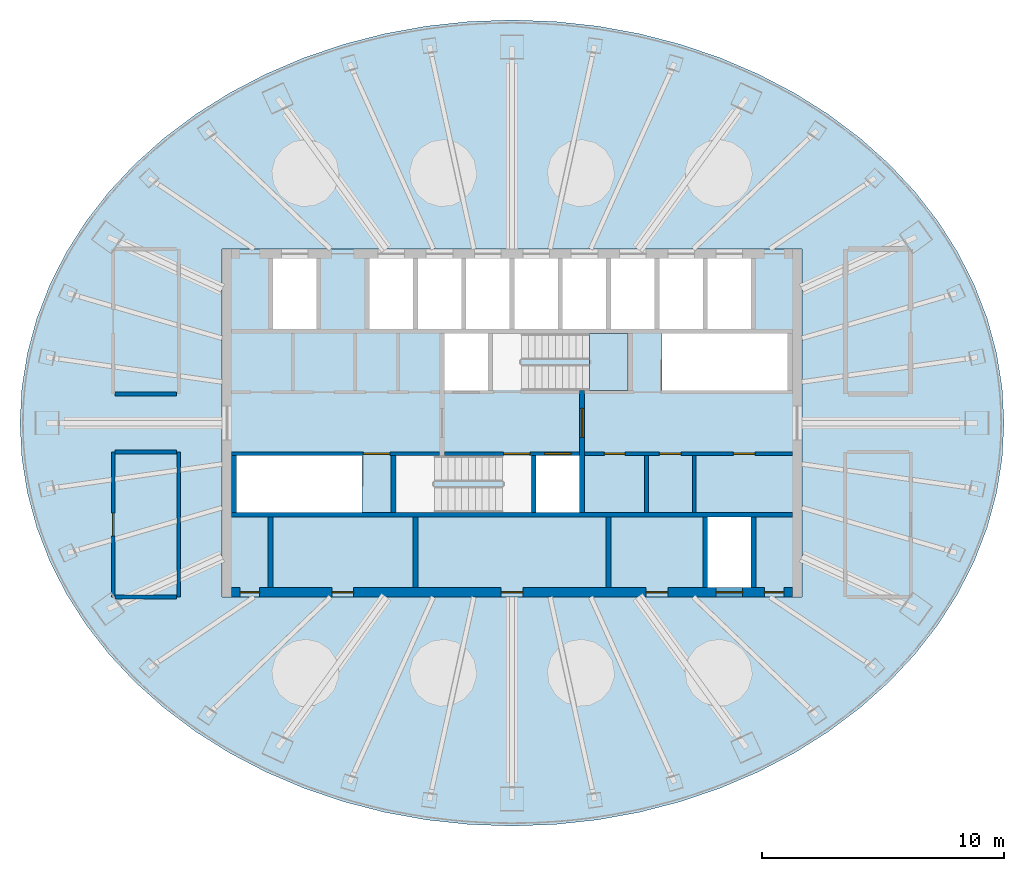
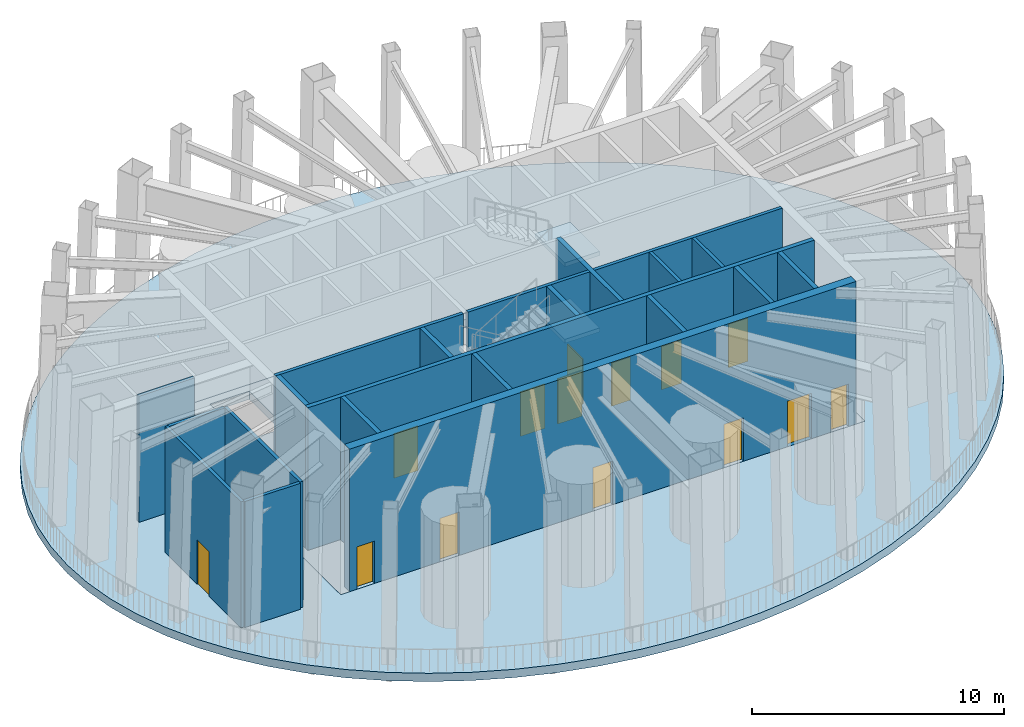
# One storey, part 3 of 12: 21 walls, 14 doors, 4 slabs, 14 openings, 1 element without a shape of its own.
"""IFC4 building model written with IfcOpenShell, lengths in metres."""

import ifcopenshell
import ifcopenshell.guid

model = None  # the IFC model being written
_history = None  # IfcOwnerHistory: only IFC2X3 demands one
_inside = {}  # id of a spatial element -> (the spatial element, [elements in it])
_under = {}  # id of a project, library or spatial element -> (it, [spatial elements below it])
_declared = {}  # id of a project -> (the project, [libraries it declares])
_typed = {}  # id of a type object -> (the type object, [elements of that type])
_made_of = {}  # id of a material, layer set ... -> (it, [elements and type objects made of it])


def new_model(schema):
    """Start an empty IFC model of exactly this schema.

    Asked for "IFC4X3", IfcOpenShell would pick the latest addendum, in which some entities
    have other attributes; the version numbers below select the first issue.
    IFC2X3 requires an IfcOwnerHistory on every rooted entity: one is made here for all.
    """
    global model, _history
    if schema == "IFC4X3":
        model = ifcopenshell.file(schema_version=(4, 3, 0, 0))
    else:
        model = ifcopenshell.file(schema=schema)
    _inside.clear()
    _under.clear()
    _declared.clear()
    _typed.clear()
    _made_of.clear()
    _history = None
    if model.schema == "IFC2X3":
        org = make("IfcOrganization", Name="unknown")
        user = make(
            "IfcPersonAndOrganization",
            ThePerson=make("IfcPerson", FamilyName="unknown"),
            TheOrganization=org,
        )
        app = make(
            "IfcApplication",
            ApplicationDeveloper=org,
            Version="unknown",
            ApplicationFullName="unknown",
            ApplicationIdentifier="unknown",
        )
        _history = make(
            "IfcOwnerHistory",
            OwningUser=user,
            OwningApplication=app,
            ChangeAction="ADDED",
            CreationDate=0,
        )
    return model


def make(cls, **values):
    """One entity of the class cls with the attributes given. An attribute that is None is left unset."""
    return model.create_entity(
        cls, **{name: value for name, value in values.items() if value is not None}
    )


def rooted(cls, **values):
    """An entity with a GlobalId (a new one), such as an element, a storey or a relation."""
    return make(cls, GlobalId=ifcopenshell.guid.new(), OwnerHistory=_history, **values)


def si_unit(unit_type, name, prefix=None):
    """IfcSIUnit, for example si_unit("LENGTHUNIT", "METRE", prefix="MILLI")."""
    return make("IfcSIUnit", UnitType=unit_type, Prefix=prefix, Name=name)


def assignment(units):
    """IfcUnitAssignment: the units of a project."""
    return None if units is None else make("IfcUnitAssignment", Units=units)


def point(xyz):
    """IfcCartesianPoint."""
    return None if xyz is None else make("IfcCartesianPoint", Coordinates=xyz)


def direction(xyz):
    """IfcDirection."""
    return None if xyz is None else make("IfcDirection", DirectionRatios=xyz)


def frame(location, z_axis=None, x_axis=None):
    """IfcAxis2Placement3D, a coordinate frame: its origin and axes. An axis left out is left unset."""
    return make(
        "IfcAxis2Placement3D",
        Location=point(location),
        Axis=direction(z_axis),
        RefDirection=direction(x_axis),
    )


def frame_2d(location, x_axis=None):
    """IfcAxis2Placement2D, a coordinate frame in the plane: its origin and x axis."""
    return make(
        "IfcAxis2Placement2D", Location=point(location), RefDirection=direction(x_axis)
    )


def origin():
    """The frame at (0, 0, 0) with its axes left unset."""
    return frame((0.0, 0.0, 0.0))


def place(relative_to, where):
    """IfcLocalPlacement: puts the frame where relative to a parent placement (None: the world)."""
    return make(
        "IfcLocalPlacement", PlacementRelTo=relative_to, RelativePlacement=where
    )


def context(
    kind, dimensions, precision=None, world=None, true_north=None, identifier=None
):
    """IfcGeometricRepresentationContext, for example the 3D "Model" context."""
    return make(
        "IfcGeometricRepresentationContext",
        ContextIdentifier=identifier,
        ContextType=kind,
        CoordinateSpaceDimension=dimensions,
        Precision=precision,
        WorldCoordinateSystem=world,
        TrueNorth=true_north,
    )


def subcontext(parent, identifier, kind, view, scale=None):
    """IfcGeometricRepresentationSubContext, for example "Body" below "Model"."""
    return make(
        "IfcGeometricRepresentationSubContext",
        ContextIdentifier=identifier,
        ContextType=kind,
        ParentContext=parent,
        TargetScale=scale,
        TargetView=view,
    )


def project(units=None, contexts=None):
    """IfcProject with its units and contexts."""
    return rooted(
        "IfcProject",
        Name="project",
        RepresentationContexts=contexts,
        UnitsInContext=assignment(units),
    )


def spatial(cls, under=None, at=None, **own):
    """A site, building, storey or space (cls), placed at a placement, below another one or the project."""
    s = rooted(cls, ObjectPlacement=at, **own)
    if under is not None:
        _under.setdefault(under.id(), (under, []))[1].append(s)
    return s


def polyline(points):
    """IfcPolyline through the points."""
    return make("IfcPolyline", Points=[point(p) for p in points])


def profile(cls, at=None, kind="AREA", **sizes):
    """A parametric profile (cls). Its sizes go by their IFC names, for example OverallWidth=200.0."""
    return make(cls, ProfileType=kind, Position=at, **sizes)


def rectangle(**sizes):
    """IfcRectangleProfileDef."""
    return profile("IfcRectangleProfileDef", **sizes)


def outline(outer, holes=None, kind="AREA"):
    """IfcArbitraryClosedProfileDef: a profile drawn as a closed curve; with holes, ...WithVoids."""
    if holes is None:
        return make("IfcArbitraryClosedProfileDef", ProfileType=kind, OuterCurve=outer)
    return make(
        "IfcArbitraryProfileDefWithVoids",
        ProfileType=kind,
        OuterCurve=outer,
        InnerCurves=holes,
    )


def extrude(swept, where, along, depth):
    """IfcExtrudedAreaSolid: the profile swept, set in the frame where, extruded along a direction by depth."""
    return make(
        "IfcExtrudedAreaSolid",
        SweptArea=swept,
        Position=where,
        ExtrudedDirection=direction(along),
        Depth=depth,
    )


def shape(context_of_items, identifier, shape_type, items):
    """IfcShapeRepresentation: the items that make up one representation, for example the "Body"."""
    return make(
        "IfcShapeRepresentation",
        ContextOfItems=context_of_items,
        RepresentationIdentifier=identifier,
        RepresentationType=shape_type,
        Items=items,
    )


def material(Name=None, Category=None):
    """IfcMaterial."""
    return make("IfcMaterial", Name=Name, Category=Category)


def layer(
    of_material, thickness, ventilated=None, Name=None, Category=None, Priority=None
):
    """IfcMaterialLayer: one layer of a wall or slab, of a material (None: an air gap)."""
    return make(
        "IfcMaterialLayer",
        Material=of_material,
        LayerThickness=thickness,
        IsVentilated=ventilated,
        Name=Name,
        Category=Category,
        Priority=Priority,
    )


def layer_set(layers, Name=None):
    """IfcMaterialLayerSet."""
    return make("IfcMaterialLayerSet", MaterialLayers=layers, LayerSetName=Name)


def made_of(thing, what):
    """Note that an element or type object is made of a material, layer set ...; save() writes the relation."""
    if what is not None:
        _made_of.setdefault(what.id(), (what, []))[1].append(thing)
    return thing


def type_object(cls, material=None, **own):
    """A type object (cls), such as IfcWallType, which elements share."""
    return made_of(rooted(cls, **own), material)


def element(
    cls,
    number,
    at=None,
    inside=None,
    cuts=None,
    type_object=None,
    material=None,
    context=None,
    identifier="Body",
    shape_type=None,
    held_by="IfcProductDefinitionShape",
    body=None,
    shapes=None,
    **own,
):
    """One element of the class cls, such as IfcWall. Its Tag is "e" and its number.

    at: its placement. inside: the storey or other place that contains it. cuts: it is an
    opening in that element (IfcRelVoidsElement). A single representation is given by context,
    identifier, shape_type and body (its items); several are given by shapes. held_by: the class
    of the entity that holds the representations. save() writes the other relations.
    """
    e = rooted(cls, Tag="e%d" % number, ObjectPlacement=at, **own)
    if body is not None:
        shapes = [shape(context, identifier, shape_type, body)]
    if shapes is not None:
        e.Representation = make(held_by, Representations=shapes)
    if inside is not None:
        _inside.setdefault(inside.id(), (inside, []))[1].append(e)
    if cuts is not None:
        rooted(
            "IfcRelVoidsElement", RelatingBuildingElement=cuts, RelatedOpeningElement=e
        )
    if type_object is not None:
        _typed.setdefault(type_object.id(), (type_object, []))[1].append(e)
    return made_of(e, material)


def fill(opening, filler):
    """IfcRelFillsElement: the door or window that sits in an opening."""
    return rooted(
        "IfcRelFillsElement",
        RelatingOpeningElement=opening,
        RelatedBuildingElement=filler,
    )


def aggregate(whole, parts):
    """IfcRelAggregates: a whole, such as a stair, and the parts it consists of."""
    return rooted("IfcRelAggregates", RelatingObject=whole, RelatedObjects=parts)


def save(model, path):
    """Write the relations noted so far, then the file.

    IfcRelAggregates (storeys below a building ...), IfcRelContainedInSpatialStructure (elements
    in a storey), IfcRelDefinesByType, IfcRelAssociatesMaterial and IfcRelDeclares: one each for
    every whole, place, type object, material and project.
    """
    for whole, parts in _under.values():
        aggregate(whole, parts)
    for where, things in _inside.values():
        rooted(
            "IfcRelContainedInSpatialStructure",
            RelatedElements=things,
            RelatingStructure=where,
        )
    for kind, things in _typed.values():
        rooted("IfcRelDefinesByType", RelatedObjects=things, RelatingType=kind)
    for what, things in _made_of.values():
        rooted("IfcRelAssociatesMaterial", RelatedObjects=things, RelatingMaterial=what)
    for by, libraries in _declared.values():
        rooted("IfcRelDeclares", RelatingContext=by, RelatedDefinitions=libraries)
    model.write(path)


model = new_model("IFC4")

# Units and contexts
model_context = context("Model", 3, precision=1e-05, world=origin(), true_north=direction((0.0, 1.0)))
body_context = subcontext(model_context, "Body", "Model", "MODEL_VIEW")
ifc_project = project(units=[si_unit("LENGTHUNIT", "METRE"), si_unit("AREAUNIT", "SQUARE_METRE"), si_unit("VOLUMEUNIT", "CUBIC_METRE"), si_unit("PLANEANGLEUNIT", "RADIAN"), si_unit("MASSUNIT", "GRAM", prefix="KILO")], contexts=[model_context])

# Site, building, storey
site_placement = place(None, origin())
site = spatial("IfcSite", under=ifc_project, at=site_placement, CompositionType="ELEMENT")
building_placement = place(site_placement, origin())
building = spatial("IfcBuilding", under=site, at=building_placement, Name="Siaravel Broadcast Tower", CompositionType="ELEMENT")
storey_placement = place(building_placement, frame((0.0, 0.0, 265.199951171875)))
storey = spatial("IfcBuildingStorey", under=building, at=storey_placement, Name="L65", CompositionType="ELEMENT", Elevation=265.199951171875)

# Slabs
ifc_material_1 = material(Name="Concrete C40/50", Category="concrete")
ifc_layer_1 = layer(ifc_material_1, 0.39990234375)
ifc_layer_set_1 = layer_set([ifc_layer_1], Name="Concrete C40/50")
slab_type_1 = type_object("IfcSlabType", Name="Core floor slab 400", PredefinedType="FLOOR", material=ifc_layer_set_1)
slab_1_placement = place(storey_placement, frame((0.0, 0.0, -0.39990234375)))
element("IfcSlab", 1, at=slab_1_placement, inside=storey, type_object=slab_type_1, Name="L65 core floor", PredefinedType="FLOOR", context=body_context, shape_type="SweptSolid", body=[
    extrude(outline(polyline([(-12.0, -7.199951171875), (-12.0, 7.199951171875), (12.0, 7.199951171875), (12.0, -7.199951171875), (-12.0, -7.199951171875)]), holes=[polyline([(11.3994140625, 1.3505859375), (11.3994140625, 3.699462890625), (6.200439453125, 3.699462890625), (6.200439453125, 1.3505859375), (11.3994140625, 1.3505859375)]), polyline([(8.10009765625, -3.89990234375), (8.10009765625, -6.800048828125), (9.89990234375, -6.800048828125), (9.89990234375, -3.89990234375), (8.10009765625, -3.89990234375)]), polyline([(9.89990234375, 6.800048828125), (8.10009765625, 6.800048828125), (8.10009765625, 3.89990234375), (9.89990234375, 3.89990234375), (9.89990234375, 6.800048828125)]), polyline([(7.89990234375, 6.800048828125), (6.10009765625, 6.800048828125), (6.10009765625, 3.89990234375), (7.89990234375, 3.89990234375), (7.89990234375, 6.800048828125)]), polyline([(5.89990234375, 6.800048828125), (4.10009765625, 6.800048828125), (4.10009765625, 3.89990234375), (5.89990234375, 3.89990234375), (5.89990234375, 6.800048828125)]), polyline([(3.89990234375, 6.800048828125), (2.10009765625, 6.800048828125), (2.10009765625, 3.89990234375), (3.89990234375, 3.89990234375), (3.89990234375, 6.800048828125)]), polyline([(2.800048828125, -1.35009765625), (1.0, -1.35009765625), (1.0, -3.699951171875), (2.800048828125, -3.699951171875), (2.800048828125, -1.35009765625)]), polyline([(1.89990234375, 6.800048828125), (0.10009765625, 6.800048828125), (0.10009765625, 3.89990234375), (1.89990234375, 3.89990234375), (1.89990234375, 6.800048828125)]), polyline([(-0.10009765625, 6.800048828125), (-1.89990234375, 6.800048828125), (-1.89990234375, 3.89990234375), (-0.10009765625, 3.89990234375), (-0.10009765625, 6.800048828125)]), polyline([(-1.0, 3.699951171875), (-2.800048828125, 3.699951171875), (-2.800048828125, 1.35009765625), (-1.0, 1.35009765625), (-1.0, 3.699951171875)]), polyline([(-2.10009765625, 6.800048828125), (-3.89990234375, 6.800048828125), (-3.89990234375, 3.89990234375), (-2.10009765625, 3.89990234375), (-2.10009765625, 6.800048828125)]), polyline([(-4.10009765625, 6.800048828125), (-5.89990234375, 6.800048828125), (-5.89990234375, 3.89990234375), (-4.10009765625, 3.89990234375), (-4.10009765625, 6.800048828125)]), polyline([(-11.3994140625, -3.699462890625), (-6.200439453125, -3.699462890625), (-6.200439453125, -1.3505859375), (-11.3994140625, -1.3505859375), (-11.3994140625, -3.699462890625)]), polyline([(-8.10009765625, 6.800048828125), (-9.89990234375, 6.800048828125), (-9.89990234375, 3.89990234375), (-8.10009765625, 3.89990234375), (-8.10009765625, 6.800048828125)])]), origin(), (0.0, 0.0, 1.0), 0.39990234375),
])
ifc_layer_2 = layer(ifc_material_1, 0.39990234375)
ifc_layer_set_2 = layer_set([ifc_layer_2], Name="Concrete C40/50")
slab_type_2 = type_object("IfcSlabType", Name="SLB-FLOOR-400", PredefinedType="FLOOR", material=ifc_layer_set_2)
slab_2_placement = place(storey_placement, frame((0.0, 0.0, -0.39990234375)))
element("IfcSlab", 2, at=slab_2_placement, inside=storey, type_object=slab_type_2, Name="Floor slab", PredefinedType="FLOOR", context=body_context, shape_type="SweptSolid", body=[
    extrude(outline(polyline([(20.363525390625, 0.0), (20.285888671875, 1.453857421875), (20.05419921875, 2.896484375), (19.669677734375, 4.317138671875), (19.135498046875, 5.704833984375), (18.45556640625, 7.04931640625), (17.63525390625, 8.340087890625), (16.680908203125, 9.5673828125), (15.599365234375, 10.7216796875), (14.399169921875, 11.79443359375), (13.08935546875, 12.777587890625), (11.679931640625, 13.66357421875), (10.181884765625, 14.4453125), (8.60595703125, 15.1171875), (6.964599609375, 15.674072265625), (5.2705078125, 16.111572265625), (3.5361328125, 16.426513671875), (1.77490234375, 16.616455078125), (0.0, 16.679931640625), (-1.77490234375, 16.616455078125), (-3.5361328125, 16.426513671875), (-5.2705078125, 16.111572265625), (-6.964599609375, 15.674072265625), (-8.60595703125, 15.1171875), (-10.181640625, 14.4453125), (-11.679931640625, 13.66357421875), (-13.08935546875, 12.777587890625), (-14.399169921875, 11.79443359375), (-15.599365234375, 10.7216796875), (-16.680908203125, 9.5673828125), (-17.63525390625, 8.340087890625), (-18.45556640625, 7.04931640625), (-19.135498046875, 5.704833984375), (-19.669677734375, 4.317138671875), (-20.05419921875, 2.896484375), (-20.285888671875, 1.453857421875), (-20.363525390625, 0.0), (-20.285888671875, -1.453857421875), (-20.05419921875, -2.896484375), (-19.669677734375, -4.317138671875), (-19.135498046875, -5.704833984375), (-18.45556640625, -7.04931640625), (-17.63525390625, -8.340087890625), (-16.680908203125, -9.5673828125), (-15.599365234375, -10.7216796875), (-14.399169921875, -11.79443359375), (-13.08935546875, -12.777587890625), (-11.679931640625, -13.66357421875), (-10.181884765625, -14.4453125), (-8.60595703125, -15.1171875), (-6.964599609375, -15.674072265625), (-5.2705078125, -16.111572265625), (-3.5361328125, -16.426513671875), (-1.77490234375, -16.616455078125), (0.0, -16.679931640625), (1.77490234375, -16.616455078125), (3.5361328125, -16.426513671875), (5.2705078125, -16.111572265625), (6.964599609375, -15.674072265625), (8.60595703125, -15.1171875), (10.181884765625, -14.4453125), (11.679931640625, -13.66357421875), (13.08935546875, -12.777587890625), (14.399169921875, -11.79443359375), (15.599365234375, -10.7216796875), (16.680908203125, -9.5673828125), (17.63525390625, -8.340087890625), (18.45556640625, -7.04931640625), (19.135498046875, -5.704833984375), (19.669677734375, -4.317138671875), (20.05419921875, -2.896484375), (20.285888671875, -1.453857421875), (20.363525390625, 0.0)]), holes=[polyline([(-12.0, 7.199951171875), (12.0, 7.199951171875), (12.0, -7.199951171875), (-12.0, -7.199951171875), (-12.0, 7.199951171875)])]), origin(), (0.0, 0.0, 1.0), 0.39990234375),
])

# Stair, slabs
stair_type = type_object("IfcStairType", Name="Core exit stair", PredefinedType="HALF_TURN_STAIR", material=ifc_material_1)
stair_placement = place(storey_placement, origin())
stair = element("IfcStair", 3, at=stair_placement, inside=storey, type_object=stair_type, Name="L65 Exit stair ST-C1", PredefinedType="HALF_TURN_STAIR")
ifc_layer_3 = layer(ifc_material_1, 0.199951171875)
ifc_layer_set_3 = layer_set([ifc_layer_3], Name="Concrete C40/50")
slab_type_3 = type_object("IfcSlabType", Name="Stair landing", PredefinedType="LANDING", material=ifc_layer_set_3)
slab_3_placement = place(storey_placement, frame((0.0, 0.0, 1.650146484375)))
slab_3 = element("IfcSlab", 4, at=slab_3_placement, type_object=slab_type_3, Name="ST-C1 landing 1", PredefinedType="LANDING", context=body_context, shape_type="SweptSolid", body=[
    extrude(outline(polyline([(3.199951171875, 1.35009765625), (4.800048828125, 1.35009765625), (4.800048828125, 3.699951171875), (3.199951171875, 3.699951171875), (3.199951171875, 1.35009765625)])), origin(), (0.0, 0.0, 1.0), 0.199951171875),
])
slab_4_placement = place(storey_placement, frame((0.0, 0.0, 5.35009765625)))
slab_4 = element("IfcSlab", 5, at=slab_4_placement, type_object=slab_type_3, Name="ST-C1 landing 3", PredefinedType="LANDING", context=body_context, shape_type="SweptSolid", body=[
    extrude(outline(polyline([(3.199951171875, 1.35009765625), (4.800048828125, 1.35009765625), (4.800048828125, 3.699951171875), (3.199951171875, 3.699951171875), (3.199951171875, 1.35009765625)])), origin(), (0.0, 0.0, 1.0), 0.199951171875),
])
aggregate(stair, [slab_3, slab_4])

# Walls
ifc_material_2 = material(Name="Concrete blockwork", Category="masonry")
ifc_layer_4 = layer(ifc_material_2, 0.14990234375)
ifc_layer_set_4 = layer_set([ifc_layer_4], Name="Concrete blockwork")
wall_type_1 = type_object("IfcWallType", Name="Core partition 150", PredefinedType="PARTITIONING", material=ifc_layer_set_4)
for number, where, z_axis, x_axis, name in (
    (6, (5.56494140625, -3.699951171875, 0.0), (0.0, 0.0, 1.0), (0.0, 1.0, 0.0), "L65 core partition PSE0"),
    (7, (7.541015625, -3.699951171875, 0.0), (0.0, 0.0, 1.0), (0.0, 1.0, 0.0), "L65 core partition PSE1"),
):
    element("IfcWall", number, at=place(storey_placement, frame(where, z_axis=z_axis, x_axis=x_axis)), inside=storey, type_object=wall_type_1, Name=name, PredefinedType="PARTITIONING", context=body_context, shape_type="SweptSolid", body=[
        extrude(rectangle(XDim=2.349853515625, YDim=0.14990234375, at=frame_2d((1.1748046875, 0.0))), origin(), (0.0, 0.0, 1.0), 6.900146484375),
    ])
ifc_layer_5 = layer(ifc_material_2, 0.199951171875)
ifc_layer_set_5 = layer_set([ifc_layer_5], Name="Concrete blockwork")
wall_type_2 = type_object("IfcWallType", Name="Core partition 200", PredefinedType="PARTITIONING", material=ifc_layer_set_5)
for number, where, z_axis, x_axis, name in (
    (8, (-4.0, -6.800048828125, 0.0), (0.0, 0.0, 1.0), (0.0, 1.0, 0.0), "L65 core partition PFS0"),
    (9, (4.0, -6.800048828125, 0.0), (0.0, 0.0, 1.0), (0.0, 1.0, 0.0), "L65 core partition PFS3"),
):
    element("IfcWall", number, at=place(storey_placement, frame(where, z_axis=z_axis, x_axis=x_axis)), inside=storey, type_object=wall_type_2, Name=name, PredefinedType="PARTITIONING", context=body_context, shape_type="SweptSolid", body=[
        extrude(rectangle(XDim=2.900146484375, YDim=0.199951171875, at=frame_2d((1.4501953125, 0.0))), origin(), (0.0, 0.0, 1.0), 6.900146484375),
    ])

# Wall, openings, doors
ifc_material_3 = material(Name="Concrete C60/75", Category="concrete")
ifc_layer_6 = layer(ifc_material_3, 0.39990234375)
ifc_layer_set_6 = layer_set([ifc_layer_6], Name="Concrete C60/75")
wall_type_3 = type_object("IfcWallType", Name="Core wall 400", PredefinedType="SHEAR", material=ifc_layer_set_6)
wall_1_placement = place(storey_placement, frame((-11.60009765625, -7.0, 0.0), z_axis=(0.0, 0.0, 1.0), x_axis=(1.0, 0.0, 0.0)))
wall_1 = element("IfcWall", 10, at=wall_1_placement, inside=storey, type_object=wall_type_3, Name="L65 core wall OS", PredefinedType="SHEAR", context=body_context, shape_type="SweptSolid", body=[
    extrude(rectangle(XDim=23.2001953125, YDim=0.39990234375, at=frame_2d((11.60009765625, 0.0))), origin(), (0.0, 0.0, 1.0), 6.900146484375),
])
opening_1_placement = place(wall_1_placement, frame((20.050048828125, 0.0, 0.0)))
opening_1 = element("IfcOpeningElement", 11, at=opening_1_placement, cuts=wall_1, Name="Opening LD-SV1-L65", PredefinedType="OPENING", context=body_context, shape_type="SweptSolid", body=[
    extrude(rectangle(XDim=1.10009765625, YDim=2.199951171875, at=frame_2d((0.550048828125, 1.10009765625))), frame((0.0, 0.2099609375, 0.0), z_axis=(0.0, -1.0, 0.0), x_axis=(1.0, 0.0, 0.0)), (0.0, 0.0, 1.0), 0.419921875),
])
opening_2_placement = place(wall_1_placement, frame((4.14990234375, 0.0, 0.0)))
opening_2 = element("IfcOpeningElement", 12, at=opening_2_placement, cuts=wall_1, Name="Opening L65-DFS0", PredefinedType="OPENING", context=body_context, shape_type="SweptSolid", body=[
    extrude(rectangle(XDim=0.89990234375, YDim=2.10009765625, at=frame_2d((0.449951171875, 1.050048828125))), frame((0.0, 0.2099609375, 0.0), z_axis=(0.0, -1.0, 0.0), x_axis=(1.0, 0.0, 0.0)), (0.0, 0.0, 1.0), 0.419921875),
])
opening_3_placement = place(wall_1_placement, frame((11.14990234375, 0.0, 0.0)))
opening_3 = element("IfcOpeningElement", 13, at=opening_3_placement, cuts=wall_1, Name="Opening L65-DFS3", PredefinedType="OPENING", context=body_context, shape_type="SweptSolid", body=[
    extrude(rectangle(XDim=0.89990234375, YDim=2.10009765625, at=frame_2d((0.449951171875, 1.050048828125))), frame((0.0, 0.2099609375, 0.0), z_axis=(0.0, -1.0, 0.0), x_axis=(1.0, 0.0, 0.0)), (0.0, 0.0, 1.0), 0.419921875),
])
opening_4_placement = place(wall_1_placement, frame((17.14990234375, 0.0, 0.0)))
opening_4 = element("IfcOpeningElement", 14, at=opening_4_placement, cuts=wall_1, Name="Opening L65-DFS7", PredefinedType="OPENING", context=body_context, shape_type="SweptSolid", body=[
    extrude(rectangle(XDim=0.89990234375, YDim=2.10009765625, at=frame_2d((0.449951171875, 1.050048828125))), frame((0.0, 0.2099609375, 0.0), z_axis=(0.0, -1.0, 0.0), x_axis=(1.0, 0.0, 0.0)), (0.0, 0.0, 1.0), 0.419921875),
])
opening_5_placement = place(wall_1_placement, frame((0.35009765625, 0.0, 0.0)))
opening_5 = element("IfcOpeningElement", 15, at=opening_5_placement, cuts=wall_1, Name="Opening L65-DRSW", PredefinedType="OPENING", context=body_context, shape_type="SweptSolid", body=[
    extrude(rectangle(XDim=0.800048828125, YDim=2.050048828125, at=frame_2d((0.39990234375, 1.02490234375))), frame((0.0, 0.2099609375, 0.0), z_axis=(0.0, -1.0, 0.0), x_axis=(1.0, 0.0, 0.0)), (0.0, 0.0, 1.0), 0.419921875),
])
opening_6_placement = place(wall_1_placement, frame((22.050048828125, 0.0, 0.0)))
opening_6 = element("IfcOpeningElement", 16, at=opening_6_placement, cuts=wall_1, Name="Opening L65-DRSE", PredefinedType="OPENING", context=body_context, shape_type="SweptSolid", body=[
    extrude(rectangle(XDim=0.800048828125, YDim=2.050048828125, at=frame_2d((0.39990234375, 1.02490234375))), frame((0.0, 0.2099609375, 0.0), z_axis=(0.0, -1.0, 0.0), x_axis=(1.0, 0.0, 0.0)), (0.0, 0.0, 1.0), 0.419921875),
])
ifc_material_4 = material(Name="Timber veneer", Category="wood")
door_type_1 = type_object("IfcDoorType", Name="Core room door 900", OperationType="SINGLE_SWING_LEFT", PredefinedType="DOOR", material=ifc_material_4)
door_1_placement = place(opening_2_placement, origin())
door_1 = element("IfcDoor", 17, at=door_1_placement, inside=storey, type_object=door_type_1, Name="L65 door DFS0", OperationType="SINGLE_SWING_LEFT", OverallHeight=2.10009765625, OverallWidth=0.89990234375, PredefinedType="DOOR", context=body_context, shape_type="SweptSolid", body=[
    extrude(rectangle(XDim=0.89990234375, YDim=2.10009765625, at=frame_2d((0.449951171875, 1.050048828125))), frame((0.0, 0.02490234375, 0.0), z_axis=(0.0, -1.0, 0.0), x_axis=(1.0, 0.0, 0.0)), (0.0, 0.0, 1.0), 0.050048828125),
])
fill(opening_2, door_1)
door_2_placement = place(opening_3_placement, origin())
door_2 = element("IfcDoor", 18, at=door_2_placement, inside=storey, type_object=door_type_1, Name="L65 door DFS3", OperationType="SINGLE_SWING_LEFT", OverallHeight=2.10009765625, OverallWidth=0.89990234375, PredefinedType="DOOR", context=body_context, shape_type="SweptSolid", body=[
    extrude(rectangle(XDim=0.89990234375, YDim=2.10009765625, at=frame_2d((0.449951171875, 1.050048828125))), frame((0.0, 0.02490234375, 0.0), z_axis=(0.0, -1.0, 0.0), x_axis=(1.0, 0.0, 0.0)), (0.0, 0.0, 1.0), 0.050048828125),
])
fill(opening_3, door_2)
door_3_placement = place(opening_4_placement, origin())
door_3 = element("IfcDoor", 19, at=door_3_placement, inside=storey, type_object=door_type_1, Name="L65 door DFS7", OperationType="SINGLE_SWING_LEFT", OverallHeight=2.10009765625, OverallWidth=0.89990234375, PredefinedType="DOOR", context=body_context, shape_type="SweptSolid", body=[
    extrude(rectangle(XDim=0.89990234375, YDim=2.10009765625, at=frame_2d((0.449951171875, 1.050048828125))), frame((0.0, 0.02490234375, 0.0), z_axis=(0.0, -1.0, 0.0), x_axis=(1.0, 0.0, 0.0)), (0.0, 0.0, 1.0), 0.050048828125),
])
fill(opening_4, door_3)
ifc_material_5 = material(Name="Steel", Category="steel")
door_type_2 = type_object("IfcDoorType", Name="Riser door 800", OperationType="SINGLE_SWING_LEFT", PredefinedType="DOOR", material=ifc_material_5)
door_4_placement = place(opening_5_placement, origin())
door_4 = element("IfcDoor", 20, at=door_4_placement, inside=storey, type_object=door_type_2, Name="L65 door DRSW", OperationType="SINGLE_SWING_LEFT", OverallHeight=2.050048828125, OverallWidth=0.800048828125, PredefinedType="DOOR", context=body_context, shape_type="SweptSolid", body=[
    extrude(rectangle(XDim=0.800048828125, YDim=2.050048828125, at=frame_2d((0.39990234375, 1.02490234375))), frame((0.0, 0.02490234375, 0.0), z_axis=(0.0, -1.0, 0.0), x_axis=(1.0, 0.0, 0.0)), (0.0, 0.0, 1.0), 0.050048828125),
])
fill(opening_5, door_4)
door_5_placement = place(opening_6_placement, origin())
door_5 = element("IfcDoor", 21, at=door_5_placement, inside=storey, type_object=door_type_2, Name="L65 door DRSE", OperationType="SINGLE_SWING_LEFT", OverallHeight=2.050048828125, OverallWidth=0.800048828125, PredefinedType="DOOR", context=body_context, shape_type="SweptSolid", body=[
    extrude(rectangle(XDim=0.800048828125, YDim=2.050048828125, at=frame_2d((0.39990234375, 1.02490234375))), frame((0.0, 0.02490234375, 0.0), z_axis=(0.0, -1.0, 0.0), x_axis=(1.0, 0.0, 0.0)), (0.0, 0.0, 1.0), 0.050048828125),
])
fill(opening_6, door_5)
ifc_material_6 = material(Name="Stainless steel 316L", Category="steel")
door_type_3 = type_object("IfcDoorType", Name="Service lift landing door 1100", OperationType="DOUBLE_DOOR_SLIDING", PredefinedType="DOOR", material=ifc_material_6)
door_6_placement = place(opening_1_placement, origin())
door_6 = element("IfcDoor", 22, at=door_6_placement, inside=storey, type_object=door_type_3, Name="Landing door SV1 L65", OperationType="DOUBLE_DOOR_SLIDING", OverallHeight=2.199951171875, OverallWidth=1.10009765625, PredefinedType="DOOR", context=body_context, shape_type="SweptSolid", body=[
    extrude(rectangle(XDim=1.10009765625, YDim=2.199951171875, at=frame_2d((0.550048828125, 1.10009765625))), frame((0.0, 0.02490234375, 0.0), z_axis=(0.0, -1.0, 0.0), x_axis=(1.0, 0.0, 0.0)), (0.0, 0.0, 1.0), 0.050048828125),
])
fill(opening_1, door_6)

ifc_material_7 = material(Name="Gypsum board partition", Category="gypsum")
ifc_layer_7 = layer(ifc_material_7, 0.14990234375)
ifc_layer_set_7 = layer_set([ifc_layer_7], Name="Gypsum board partition")
wall_type_4 = type_object("IfcWallType", Name="Corridor wall 150", PredefinedType="PARTITIONING", material=ifc_layer_set_7)
wall_2_placement = place(storey_placement, frame((3.0, -1.27490234375, 0.0), z_axis=(0.0, 0.0, 1.0), x_axis=(1.0, 0.0, 0.0)))
wall_2 = element("IfcWall", 23, at=wall_2_placement, inside=storey, type_object=wall_type_4, Name="L65 core partition CSE", PredefinedType="PARTITIONING", context=body_context, shape_type="SweptSolid", body=[
    extrude(rectangle(XDim=8.60009765625, YDim=0.14990234375, at=frame_2d((4.300048828125, 0.0))), origin(), (0.0, 0.0, 1.0), 6.900146484375),
])
opening_7_placement = place(wall_2_placement, frame((0.820068359375, 0.0, 0.0)))
opening_7 = element("IfcOpeningElement", 24, at=opening_7_placement, cuts=wall_2, Name="Opening L65-DSE0", PredefinedType="OPENING", context=body_context, shape_type="SweptSolid", body=[
    extrude(rectangle(XDim=0.85009765625, YDim=2.10009765625, at=frame_2d((0.425048828125, 1.050048828125))), frame((0.0, 0.0849609375, 0.0), z_axis=(0.0, -1.0, 0.0), x_axis=(1.0, 0.0, 0.0)), (0.0, 0.0, 1.0), 0.169921875),
])
opening_8_placement = place(wall_2_placement, frame((3.10302734375, 0.0, 0.0)))
opening_8 = element("IfcOpeningElement", 25, at=opening_8_placement, cuts=wall_2, Name="Opening L65-DSE1", PredefinedType="OPENING", context=body_context, shape_type="SweptSolid", body=[
    extrude(rectangle(XDim=0.89990234375, YDim=2.10009765625, at=frame_2d((0.449951171875, 1.050048828125))), frame((0.0, 0.0849609375, 0.0), z_axis=(0.0, -1.0, 0.0), x_axis=(1.0, 0.0, 0.0)), (0.0, 0.0, 1.0), 0.169921875),
])
opening_9_placement = place(wall_2_placement, frame((6.157958984375, 0.0, 0.0)))
opening_9 = element("IfcOpeningElement", 26, at=opening_9_placement, cuts=wall_2, Name="Opening L65-DSE2", PredefinedType="OPENING", context=body_context, shape_type="SweptSolid", body=[
    extrude(rectangle(XDim=0.89990234375, YDim=2.10009765625, at=frame_2d((0.449951171875, 1.050048828125))), frame((0.0, 0.0849609375, 0.0), z_axis=(0.0, -1.0, 0.0), x_axis=(1.0, 0.0, 0.0)), (0.0, 0.0, 1.0), 0.169921875),
])
door_7_placement = place(opening_8_placement, origin())
door_7 = element("IfcDoor", 27, at=door_7_placement, inside=storey, type_object=door_type_1, Name="L65 door DSE1", OperationType="SINGLE_SWING_LEFT", OverallHeight=2.10009765625, OverallWidth=0.89990234375, PredefinedType="DOOR", context=body_context, shape_type="SweptSolid", body=[
    extrude(rectangle(XDim=0.89990234375, YDim=2.10009765625, at=frame_2d((0.449951171875, 1.050048828125))), frame((0.0, 0.02490234375, 0.0), z_axis=(0.0, -1.0, 0.0), x_axis=(1.0, 0.0, 0.0)), (0.0, 0.0, 1.0), 0.050048828125),
])
fill(opening_8, door_7)
door_8_placement = place(opening_9_placement, origin())
door_8 = element("IfcDoor", 28, at=door_8_placement, inside=storey, type_object=door_type_1, Name="L65 door DSE2", OperationType="SINGLE_SWING_LEFT", OverallHeight=2.10009765625, OverallWidth=0.89990234375, PredefinedType="DOOR", context=body_context, shape_type="SweptSolid", body=[
    extrude(rectangle(XDim=0.89990234375, YDim=2.10009765625, at=frame_2d((0.449951171875, 1.050048828125))), frame((0.0, 0.02490234375, 0.0), z_axis=(0.0, -1.0, 0.0), x_axis=(1.0, 0.0, 0.0)), (0.0, 0.0, 1.0), 0.050048828125),
])
fill(opening_9, door_8)
door_type_4 = type_object("IfcDoorType", Name="Core toilet door 850", OperationType="SINGLE_SWING_LEFT", PredefinedType="DOOR", material=ifc_material_4)
door_9_placement = place(opening_7_placement, origin())
door_9 = element("IfcDoor", 29, at=door_9_placement, inside=storey, type_object=door_type_4, Name="L65 door DSE0", OperationType="SINGLE_SWING_LEFT", OverallHeight=2.10009765625, OverallWidth=0.85009765625, PredefinedType="DOOR", context=body_context, shape_type="SweptSolid", body=[
    extrude(rectangle(XDim=0.85009765625, YDim=2.10009765625, at=frame_2d((0.425048828125, 1.050048828125))), frame((0.0, 0.02490234375, 0.0), z_axis=(0.0, -1.0, 0.0), x_axis=(1.0, 0.0, 0.0)), (0.0, 0.0, 1.0), 0.050048828125),
])
fill(opening_7, door_9)

# Wall, opening, door
wall_3_placement = place(storey_placement, frame((-16.5, -1.199951171875, 0.0), z_axis=(0.0, 0.0, 1.0), x_axis=(0.0, -1.0, 0.0)))
wall_3 = element("IfcWall", 30, at=wall_3_placement, inside=storey, type_object=wall_type_4, Name="L65 partition 1", PredefinedType="PARTITIONING", context=body_context, shape_type="SweptSolid", body=[
    extrude(rectangle(XDim=6.011962890625, YDim=0.14990234375, at=frame_2d((3.005859375, 0.0))), origin(), (0.0, 0.0, 1.0), 6.10009765625),
])
opening_10_placement = place(wall_3_placement, frame((2.531005859375, 0.0, 0.0)))
opening_10 = element("IfcOpeningElement", 31, at=opening_10_placement, cuts=wall_3, Name="Opening L65-004", PredefinedType="OPENING", context=body_context, shape_type="SweptSolid", body=[
    extrude(rectangle(XDim=0.949951171875, YDim=2.14990234375, at=frame_2d((0.47509765625, 1.074951171875))), frame((0.0, 0.0849609375, 0.0), z_axis=(0.0, -1.0, 0.0), x_axis=(1.0, 0.0, 0.0)), (0.0, 0.0, 1.0), 0.169921875),
])
door_type_5 = type_object("IfcDoorType", Name="Office door 950", OperationType="SINGLE_SWING_LEFT", PredefinedType="DOOR", material=ifc_material_4)
door_10_placement = place(opening_10_placement, origin())
door_10 = element("IfcDoor", 32, at=door_10_placement, inside=storey, type_object=door_type_5, Name="L65 door to Turbine store", OperationType="SINGLE_SWING_RIGHT", OverallHeight=2.14990234375, OverallWidth=0.949951171875, PredefinedType="DOOR", context=body_context, shape_type="SweptSolid", body=[
    extrude(rectangle(XDim=0.949951171875, YDim=2.14990234375, at=frame_2d((0.47509765625, 1.074951171875))), frame((0.0, 0.02490234375, 0.0), z_axis=(0.0, -1.0, 0.0), x_axis=(1.0, 0.0, 0.0)), (0.0, 0.0, 1.0), 0.050048828125),
])
fill(opening_10, door_10)

# Walls
wall_4_placement = place(storey_placement, frame((-13.800048828125, -1.199951171875, 0.0), z_axis=(0.0, 0.0, 1.0), x_axis=(0.0, -1.0, 0.0)))
element("IfcWall", 33, at=wall_4_placement, inside=storey, type_object=wall_type_4, Name="L65 partition 5", PredefinedType="PARTITIONING", context=body_context, shape_type="SweptSolid", body=[
    extrude(rectangle(XDim=6.0, YDim=0.14990234375, at=frame_2d((3.0, 0.0))), origin(), (0.0, 0.0, 1.0), 6.10009765625),
])
for number, where, z_axis, x_axis, name in (
    (34, (-16.423095703125, -7.199951171875, 0.0), (0.0, 0.0, 1.0), (1.0, 0.0, 0.0), "L65 partition 9"),
    (35, (-16.423095703125, -1.199951171875, 0.0), (0.0, 0.0, 1.0), (1.0, 0.0, 0.0), "L65 partition 10"),
    (36, (-13.876953125, 1.199951171875, 0.0), (0.0, 0.0, 1.0), (-1.0, 0.0, 0.0), "L65 partition 11"),
):
    element("IfcWall", number, at=place(storey_placement, frame(where, z_axis=z_axis, x_axis=x_axis)), inside=storey, type_object=wall_type_4, Name=name, PredefinedType="PARTITIONING", context=body_context, shape_type="SweptSolid", body=[
        extrude(rectangle(XDim=2.546142578125, YDim=0.14990234375, at=frame_2d((1.27294921875, 0.0))), origin(), (0.0, 0.0, 1.0), 6.10009765625),
    ])

# Wall, opening, door
ifc_layer_8 = layer(ifc_material_3, 0.14990234375)
ifc_layer_set_8 = layer_set([ifc_layer_8], Name="Concrete C60/75")
wall_type_5 = type_object("IfcWallType", Name="Shaft wall 150", PredefinedType="SHEAR", material=ifc_layer_set_8)
wall_5_placement = place(storey_placement, frame((-11.60009765625, -1.27490234375, 0.0), z_axis=(0.0, 0.0, 1.0), x_axis=(1.0, 0.0, 0.0)))
wall_5 = element("IfcWall", 37, at=wall_5_placement, inside=storey, type_object=wall_type_5, Name="L65 core wall CSW", PredefinedType="SHEAR", context=body_context, shape_type="SweptSolid", body=[
    extrude(rectangle(XDim=8.60009765625, YDim=0.14990234375, at=frame_2d((4.300048828125, 0.0))), origin(), (0.0, 0.0, 1.0), 6.900146484375),
])
opening_11_placement = place(wall_5_placement, frame((5.449951171875, 0.0, 0.0)))
opening_11 = element("IfcOpeningElement", 38, at=opening_11_placement, cuts=wall_5, Name="Opening L65-DS-1", PredefinedType="OPENING", context=body_context, shape_type="SweptSolid", body=[
    extrude(rectangle(XDim=1.10009765625, YDim=2.14990234375, at=frame_2d((0.550048828125, 1.074951171875))), frame((0.0, 0.0849609375, 0.0), z_axis=(0.0, -1.0, 0.0), x_axis=(1.0, 0.0, 0.0)), (0.0, 0.0, 1.0), 0.169921875),
])
door_type_6 = type_object("IfcDoorType", Name="Stair door 1100", OperationType="SINGLE_SWING_LEFT", PredefinedType="DOOR", material=ifc_material_5)
door_11_placement = place(opening_11_placement, origin())
door_11 = element("IfcDoor", 39, at=door_11_placement, inside=storey, type_object=door_type_6, Name="L65 door DS-1", OperationType="SINGLE_SWING_LEFT", OverallHeight=2.14990234375, OverallWidth=1.10009765625, PredefinedType="DOOR", context=body_context, shape_type="SweptSolid", body=[
    extrude(rectangle(XDim=1.10009765625, YDim=2.14990234375, at=frame_2d((0.550048828125, 1.074951171875))), frame((0.0, 0.02490234375, 0.0), z_axis=(0.0, -1.0, 0.0), x_axis=(1.0, 0.0, 0.0)), (0.0, 0.0, 1.0), 0.050048828125),
])
fill(opening_11, door_11)

# Wall, openings, doors
wall_6_placement = place(storey_placement, frame((-2.800048828125, -1.27490234375, 0.0), z_axis=(0.0, 0.0, 1.0), x_axis=(1.0, 0.0, 0.0)))
wall_6 = element("IfcWall", 40, at=wall_6_placement, inside=storey, type_object=wall_type_5, Name="L65 core wall CSM", PredefinedType="SHEAR", context=body_context, shape_type="SweptSolid", body=[
    extrude(rectangle(XDim=5.60009765625, YDim=0.14990234375, at=frame_2d((2.800048828125, 0.0))), origin(), (0.0, 0.0, 1.0), 6.900146484375),
])
opening_12_placement = place(wall_6_placement, frame((4.14990234375, 0.0, 0.0)))
opening_12 = element("IfcOpeningElement", 41, at=opening_12_placement, cuts=wall_6, Name="Opening LD-FL2-L65", PredefinedType="OPENING", context=body_context, shape_type="SweptSolid", body=[
    extrude(rectangle(XDim=1.10009765625, YDim=2.199951171875, at=frame_2d((0.550048828125, 1.10009765625))), frame((0.0, 0.0849609375, 0.0), z_axis=(0.0, -1.0, 0.0), x_axis=(1.0, 0.0, 0.0)), (0.0, 0.0, 1.0), 0.169921875),
])
opening_13_placement = place(wall_6_placement, frame((2.449951171875, 0.0, 0.0)))
opening_13 = element("IfcOpeningElement", 42, at=opening_13_placement, cuts=wall_6, Name="Opening L65-DS-C2", PredefinedType="OPENING", context=body_context, shape_type="SweptSolid", body=[
    extrude(rectangle(XDim=1.10009765625, YDim=2.14990234375, at=frame_2d((0.550048828125, 1.074951171875))), frame((0.0, 0.0849609375, 0.0), z_axis=(0.0, -1.0, 0.0), x_axis=(1.0, 0.0, 0.0)), (0.0, 0.0, 1.0), 0.169921875),
])
door_type_7 = type_object("IfcDoorType", Name="Firefighting lift landing door 1100", OperationType="DOUBLE_DOOR_SLIDING", PredefinedType="DOOR", material=ifc_material_6)
door_12_placement = place(opening_12_placement, origin())
door_12 = element("IfcDoor", 43, at=door_12_placement, inside=storey, type_object=door_type_7, Name="Landing door FL2 L65", OperationType="DOUBLE_DOOR_SLIDING", OverallHeight=2.199951171875, OverallWidth=1.10009765625, PredefinedType="DOOR", context=body_context, shape_type="SweptSolid", body=[
    extrude(rectangle(XDim=1.10009765625, YDim=2.199951171875, at=frame_2d((0.550048828125, 1.10009765625))), frame((0.0, 0.02490234375, 0.0), z_axis=(0.0, -1.0, 0.0), x_axis=(1.0, 0.0, 0.0)), (0.0, 0.0, 1.0), 0.050048828125),
])
fill(opening_12, door_12)
door_13_placement = place(opening_13_placement, origin())
door_13 = element("IfcDoor", 44, at=door_13_placement, inside=storey, type_object=door_type_6, Name="L65 door DS-C2", OperationType="SINGLE_SWING_LEFT", OverallHeight=2.14990234375, OverallWidth=1.10009765625, PredefinedType="DOOR", context=body_context, shape_type="SweptSolid", body=[
    extrude(rectangle(XDim=1.10009765625, YDim=2.14990234375, at=frame_2d((0.550048828125, 1.074951171875))), frame((0.0, 0.02490234375, 0.0), z_axis=(0.0, -1.0, 0.0), x_axis=(1.0, 0.0, 0.0)), (0.0, 0.0, 1.0), 0.050048828125),
])
fill(opening_13, door_13)

# Walls
ifc_layer_9 = layer(ifc_material_3, 0.199951171875)
ifc_layer_set_9 = layer_set([ifc_layer_9], Name="Concrete C60/75")
wall_type_6 = type_object("IfcWallType", Name="Shaft wall 200", PredefinedType="SHEAR", material=ifc_layer_set_9)
wall_7_placement = place(storey_placement, frame((-11.60009765625, -3.800048828125, 0.0), z_axis=(0.0, 0.0, 1.0), x_axis=(1.0, 0.0, 0.0)))
element("IfcWall", 45, at=wall_7_placement, inside=storey, type_object=wall_type_6, Name="L65 core wall BS", PredefinedType="SHEAR", context=body_context, shape_type="SweptSolid", body=[
    extrude(rectangle(XDim=23.2001953125, YDim=0.199951171875, at=frame_2d((11.60009765625, 0.0))), origin(), (0.0, 0.0, 1.0), 6.900146484375),
])
for number, where, z_axis, x_axis, name in (
    (46, (-10.0, -6.800048828125, 0.0), (0.0, 0.0, 1.0), (0.0, 1.0, 0.0), "L65 core wall SWS0"),
    (47, (8.0, -6.800048828125, 0.0), (0.0, 0.0, 1.0), (0.0, 1.0, 0.0), "L65 core wall SWS9"),
    (48, (10.0, -6.800048828125, 0.0), (0.0, 0.0, 1.0), (0.0, 1.0, 0.0), "L65 core wall SWS10"),
):
    element("IfcWall", number, at=place(storey_placement, frame(where, z_axis=z_axis, x_axis=x_axis)), inside=storey, type_object=wall_type_6, Name=name, PredefinedType="SHEAR", context=body_context, shape_type="SweptSolid", body=[
        extrude(rectangle(XDim=2.900146484375, YDim=0.199951171875, at=frame_2d((1.4501953125, 0.0))), origin(), (0.0, 0.0, 1.0), 6.900146484375),
    ])

# Wall, opening, door
wall_8_placement = place(storey_placement, frame((2.89990234375, -3.699951171875, 0.0), z_axis=(0.0, 0.0, 1.0), x_axis=(0.0, 1.0, 0.0)))
wall_8 = element("IfcWall", 49, at=wall_8_placement, inside=storey, type_object=wall_type_6, Name="L65 core wall LE", PredefinedType="SHEAR", context=body_context, shape_type="SweptSolid", body=[
    extrude(rectangle(XDim=5.050048828125, YDim=0.199951171875, at=frame_2d((2.52490234375, 0.0))), origin(), (0.0, 0.0, 1.0), 6.900146484375),
])
opening_14_placement = place(wall_8_placement, frame((3.10009765625, 0.0, 0.0)))
opening_14 = element("IfcOpeningElement", 50, at=opening_14_placement, cuts=wall_8, Name="Opening L65-DL-E", PredefinedType="OPENING", context=body_context, shape_type="SweptSolid", body=[
    extrude(rectangle(XDim=1.199951171875, YDim=2.199951171875, at=frame_2d((0.60009765625, 1.10009765625))), frame((0.0, 0.10986328125, 0.0), z_axis=(0.0, -1.0, 0.0), x_axis=(1.0, 0.0, 0.0)), (0.0, 0.0, 1.0), 0.219970703125),
])
door_type_8 = type_object("IfcDoorType", Name="Firefighting lobby door 1200", OperationType="SINGLE_SWING_LEFT", PredefinedType="DOOR", material=ifc_material_5)
door_14_placement = place(opening_14_placement, origin())
door_14 = element("IfcDoor", 51, at=door_14_placement, inside=storey, type_object=door_type_8, Name="L65 door DL-E", OperationType="SINGLE_SWING_LEFT", OverallHeight=2.199951171875, OverallWidth=1.199951171875, PredefinedType="DOOR", context=body_context, shape_type="SweptSolid", body=[
    extrude(rectangle(XDim=1.199951171875, YDim=2.199951171875, at=frame_2d((0.60009765625, 1.10009765625))), frame((0.0, 0.02490234375, 0.0), z_axis=(0.0, -1.0, 0.0), x_axis=(1.0, 0.0, 0.0)), (0.0, 0.0, 1.0), 0.050048828125),
])
fill(opening_14, door_14)

# Walls
for number, where, z_axis, x_axis, name in (
    (52, (0.89990234375, -3.699951171875, 0.0), (0.0, 0.0, 1.0), (0.0, 1.0, 0.0), "L65 core wall FF2W"),
    (53, (-11.5, -3.699951171875, 0.0), (0.0, 0.0, 1.0), (0.0, 1.0, 0.0), "L65 core wall ST1W"),
    (54, (-4.89990234375, -3.699951171875, 0.0), (0.0, 0.0, 1.0), (0.0, 1.0, 0.0), "L65 core wall ST1E"),
):
    element("IfcWall", number, at=place(storey_placement, frame(where, z_axis=z_axis, x_axis=x_axis)), inside=storey, type_object=wall_type_6, Name=name, PredefinedType="SHEAR", context=body_context, shape_type="SweptSolid", body=[
        extrude(rectangle(XDim=2.349853515625, YDim=0.199951171875, at=frame_2d((1.1748046875, 0.0))), origin(), (0.0, 0.0, 1.0), 6.900146484375),
    ])

save(model, "model.ifc")
